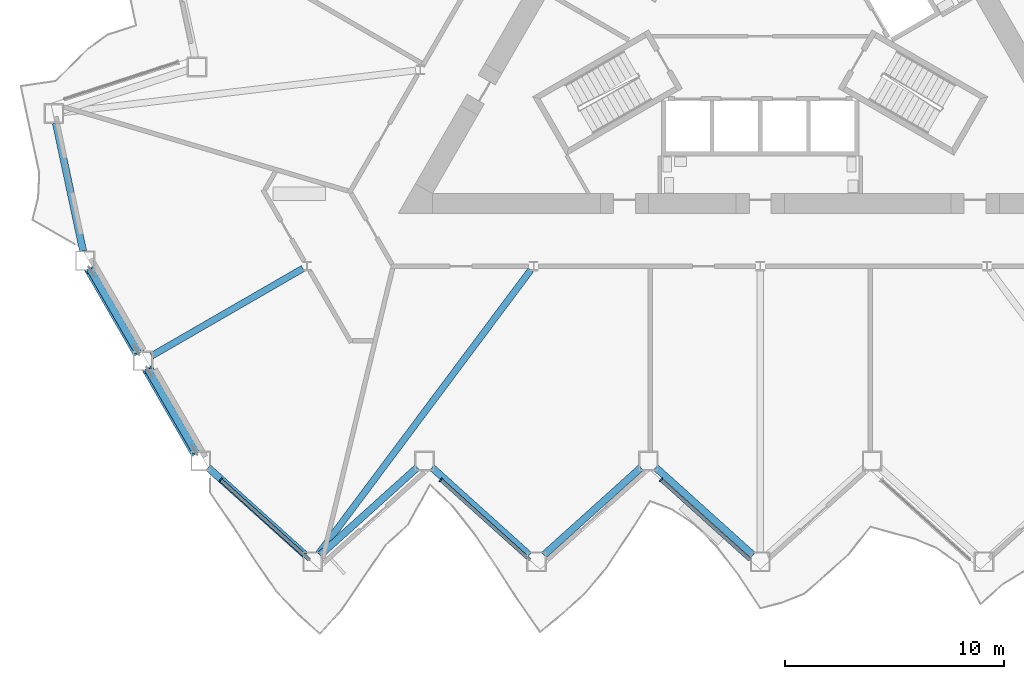
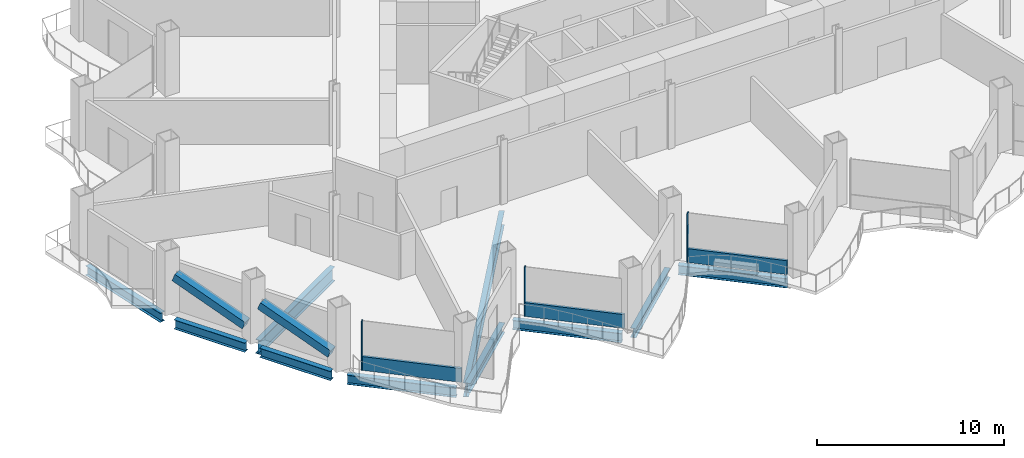
# One storey, part 3 of 21: 10 beams, 8 members, 3 elements without a shape of their own.
"""IFC4 building model written with IfcOpenShell, lengths in metres."""

from ifc_helpers import new_model, si_unit, direction, frame, origin, origin_2d, place, context, subcontext, project, spatial, rectangle, hollow_rectangle, i_section, extrude, material, layer, layer_set, material_profile, profile_set, type_object, element, aggregate, save


model = new_model("IFC4")

# Units and contexts
model_context = context("Model", 3, precision=1e-05, world=origin(), true_north=direction((0.0, 1.0)))
body_context = subcontext(model_context, "Body", "Model", "MODEL_VIEW")
ifc_project = project(units=[si_unit("LENGTHUNIT", "METRE"), si_unit("AREAUNIT", "SQUARE_METRE"), si_unit("VOLUMEUNIT", "CUBIC_METRE"), si_unit("PLANEANGLEUNIT", "RADIAN"), si_unit("MASSUNIT", "GRAM", prefix="KILO")], contexts=[model_context])

# Site, building, storey
site_placement = place(None, origin())
site = spatial("IfcSite", under=ifc_project, at=site_placement, CompositionType="ELEMENT")
building_placement = place(site_placement, origin())
building = spatial("IfcBuilding", under=site, at=building_placement, Name="Cormorant Prow Tower", CompositionType="ELEMENT")
storey_placement = place(building_placement, frame((0.0, 0.0, 112.199951171875)))
storey = spatial("IfcBuildingStorey", under=building, at=storey_placement, Name="L23", CompositionType="ELEMENT", Elevation=112.199951171875)

# Members
ifc_material_1 = material(Name="Structural steel ASTM A500 Gr C", Category="steel")
ifc_material_profile_1 = material_profile(ifc_material_1, hollow_rectangle(XDim=0.508056640625, YDim=0.508056640625, WallThickness=0.014892578125, at=origin_2d()), Name="HSS20x20x5/8")
ifc_profile_set_1 = profile_set([ifc_material_profile_1], Name="Structural steel ASTM A500 Gr C")
member_type_1 = type_object("IfcMemberType", Name="Chamfer brace HSS20x20x5/8", PredefinedType="BRACE", material=ifc_profile_set_1)
for number, where, z_axis, x_axis, name in (
    (1, (-28.368408203125, -15.83837890625, 0.776611328125), (-0.467784671838, 0.810243526908, 0.35310469821), (-0.866029868417, -0.499992266949, 0.0), "Chamfer brace BR1 at WSW00 L23"),
    (2, (-25.733642578125, -20.402099609375, 0.776611328125), (-0.467784671838, 0.810243526908, 0.35310469821), (-0.866029868417, -0.499992266949, 0.0), "Chamfer brace BR1 at WSW01 L23"),
):
    element("IfcMember", number, at=place(storey_placement, frame(where, z_axis=z_axis, x_axis=x_axis)), inside=storey, type_object=member_type_1, Name=name, PredefinedType="BRACE", context=body_context, shape_type="SweptSolid", body=[
        extrude(hollow_rectangle(XDim=0.508056640625, YDim=0.508056640625, WallThickness=0.014892578125, at=origin_2d()), origin(), (0.0, 0.0, 1.0), 4.632568359375),
    ])

# Curtain wall, member
ifc_material_2 = material(Name="Aluminium 6063-T6", Category="aluminium")
ifc_layer = layer(ifc_material_2, 0.199951171875)
ifc_layer_set = layer_set([ifc_layer], Name="Aluminium 6063-T6")
curtain_wall_type = type_object("IfcCurtainWallType", Name="Office unitised curtain wall 200", PredefinedType="NOTDEFINED", material=ifc_layer_set)
curtain_wall_1_placement = place(storey_placement, origin())
curtain_wall_1 = element("IfcCurtainWall", 3, at=curtain_wall_1_placement, inside=storey, type_object=curtain_wall_type, Name="Office curtain wall S00", PredefinedType="NOTDEFINED")
ifc_material_3 = material(Name="Aluminium 6063-T6", Category="aluminium")
ifc_material_profile_2 = material_profile(ifc_material_3, rectangle(XDim=0.199951171875, YDim=0.06005859375, at=origin_2d()), Name="Office mullion 60x200")
ifc_profile_set_2 = profile_set([ifc_material_profile_2], Name="Aluminium 6063-T6")
member_type_2 = type_object("IfcMemberType", Name="Office mullion 60x200", PredefinedType="MULLION", material=ifc_profile_set_2)
member_1_placement = place(storey_placement, frame((-24.59521484375, -21.671142578125, 0.0), z_axis=(0.0, 0.0, 1.0), x_axis=(0.669130597526, 0.74314483343, 0.0)))
member_1 = element("IfcMember", 4, at=member_1_placement, type_object=member_type_2, Name="Office mullion S00", PredefinedType="MULLION", context=body_context, shape_type="SweptSolid", body=[
    extrude(rectangle(XDim=0.199951171875, YDim=0.06005859375, at=origin_2d()), origin(), (0.0, 0.0, 1.0), 3.18896484375),
])

curtain_wall_2_placement = place(storey_placement, origin())
curtain_wall_2 = element("IfcCurtainWall", 5, at=curtain_wall_2_placement, inside=storey, type_object=curtain_wall_type, Name="Office curtain wall S02", PredefinedType="NOTDEFINED")
member_2_placement = place(storey_placement, frame((-14.55908203125, -21.671142578125, 0.0), z_axis=(0.0, 0.0, 1.0), x_axis=(0.669130597526, 0.74314483343, 0.0)))
member_2 = element("IfcMember", 6, at=member_2_placement, type_object=member_type_2, Name="Office mullion S02", PredefinedType="MULLION", context=body_context, shape_type="SweptSolid", body=[
    extrude(rectangle(XDim=0.199951171875, YDim=0.06005859375, at=origin_2d()), origin(), (0.0, 0.0, 1.0), 3.18896484375),
])

curtain_wall_3_placement = place(storey_placement, origin())
curtain_wall_3 = element("IfcCurtainWall", 7, at=curtain_wall_3_placement, inside=storey, type_object=curtain_wall_type, Name="Office curtain wall S04", PredefinedType="NOTDEFINED")
member_3_placement = place(storey_placement, frame((-4.523193359375, -21.671142578125, 0.0), z_axis=(0.0, 0.0, 1.0), x_axis=(0.669130597526, 0.74314483343, 0.0)))
member_3 = element("IfcMember", 8, at=member_3_placement, type_object=member_type_2, Name="Office mullion S04", PredefinedType="MULLION", context=body_context, shape_type="SweptSolid", body=[
    extrude(rectangle(XDim=0.199951171875, YDim=0.06005859375, at=origin_2d()), origin(), (0.0, 0.0, 1.0), 3.18896484375),
])

# Member
ifc_material_4 = material(Name="Terracotta", Category="masonry")
ifc_material_profile_3 = material_profile(ifc_material_4, rectangle(XDim=0.159912109375, YDim=0.89990234375, at=origin_2d()), Name="Office terracotta spandrel rail 160x900")
ifc_profile_set_3 = profile_set([ifc_material_profile_3], Name="Terracotta")
member_type_3 = type_object("IfcMemberType", Name="Office terracotta spandrel rail 160x900", PredefinedType="USERDEFINED", material=ifc_profile_set_3)
member_4_placement = place(storey_placement, frame((-24.572998046875, -21.691162109375, 0.449951171875), z_axis=(0.743159757815, -0.669114021946, 0.0), x_axis=(0.669114021946, 0.743159757815, 0.0)))
member_4 = element("IfcMember", 9, at=member_4_placement, type_object=member_type_3, Name="Office spandrel rail S00", ObjectType="TRANSOM", PredefinedType="USERDEFINED", context=body_context, shape_type="SweptSolid", body=[
    extrude(rectangle(XDim=0.159912109375, YDim=0.89990234375, at=origin_2d()), origin(), (0.0, 0.0, 1.0), 5.42041015625),
])

aggregate(curtain_wall_1, [member_1, member_4])

member_5_placement = place(storey_placement, frame((-14.536865234375, -21.691162109375, 0.449951171875), z_axis=(0.74313959179, -0.669136418912, 0.0), x_axis=(0.669136418912, 0.74313959179, 0.0)))
member_5 = element("IfcMember", 10, at=member_5_placement, type_object=member_type_3, Name="Office spandrel rail S02", ObjectType="TRANSOM", PredefinedType="USERDEFINED", context=body_context, shape_type="SweptSolid", body=[
    extrude(rectangle(XDim=0.159912109375, YDim=0.89990234375, at=origin_2d()), origin(), (0.0, 0.0, 1.0), 5.42041015625),
])

aggregate(curtain_wall_2, [member_2, member_5])

member_6_placement = place(storey_placement, frame((-4.500732421875, -21.691162109375, 0.449951171875), z_axis=(0.74313959179, -0.669136418912, 0.0), x_axis=(0.669136418912, 0.74313959179, 0.0)))
member_6 = element("IfcMember", 11, at=member_6_placement, type_object=member_type_3, Name="Office spandrel rail S04", ObjectType="TRANSOM", PredefinedType="USERDEFINED", context=body_context, shape_type="SweptSolid", body=[
    extrude(rectangle(XDim=0.159912109375, YDim=0.89990234375, at=origin_2d()), origin(), (0.0, 0.0, 1.0), 5.42041015625),
])

aggregate(curtain_wall_3, [member_3, member_6])

# Beams
ifc_material_5 = material(Name="Structural steel ASTM A992 Gr 50", Category="steel")
ifc_material_profile_4 = material_profile(ifc_material_5, i_section(OverallWidth=0.3046875, OverallDepth=0.914794921875, WebThickness=0.0166015625, FlangeThickness=0.02587890625, at=origin_2d()), Name="W36x160")
ifc_profile_set_4 = profile_set([ifc_material_profile_4], Name="Structural steel ASTM A992 Gr 50")
beam_type_1 = type_object("IfcBeamType", Name="Radial floor beam W36x160", PredefinedType="BEAM", material=ifc_profile_set_4)
beam_1_placement = place(storey_placement, frame((-20.84521484375, -12.034912109375, -0.857421875), z_axis=(-0.866018715534, -0.50001158421, 0.0), x_axis=(0.50001158421, -0.866018715534, 0.0)))
element("IfcBeam", 12, at=beam_1_placement, inside=storey, type_object=beam_type_1, Name="Radial floor beam FB1 5 L23", PredefinedType="BEAM", context=body_context, shape_type="SweptSolid", body=[
    extrude(i_section(OverallWidth=0.3046875, OverallDepth=0.914794921875, WebThickness=0.0166015625, FlangeThickness=0.02587890625, at=origin_2d()), origin(), (0.0, 0.0, 1.0), 7.967041015625),
])
beam_2_placement = place(storey_placement, frame((-10.458740234375, -12.100341796875, -0.857421875), z_axis=(-0.598722444929, -0.800956574315, 0.0), x_axis=(0.800956574315, -0.598722444929, 0.0)))
element("IfcBeam", 13, at=beam_2_placement, inside=storey, type_object=beam_type_1, Name="Radial floor beam FB1 6 L23", PredefinedType="BEAM", context=body_context, shape_type="SweptSolid", body=[
    extrude(i_section(OverallWidth=0.3046875, OverallDepth=0.914794921875, WebThickness=0.0166015625, FlangeThickness=0.02587890625, at=origin_2d()), origin(), (0.0, 0.0, 1.0), 16.15380859375),
])
ifc_material_6 = material(Name="Structural steel ASTM A992 Gr 50", Category="steel")
ifc_material_profile_5 = material_profile(ifc_material_6, i_section(OverallWidth=0.32373046875, OverallDepth=0.611083984375, WebThickness=0.0126953125, FlangeThickness=0.01904296875, at=origin_2d()), Name="W24x104")
ifc_profile_set_5 = profile_set([ifc_material_profile_5], Name="Structural steel ASTM A992 Gr 50")
beam_type_2 = type_object("IfcBeamType", Name="Spandrel beam W24x104", PredefinedType="SPANDREL", material=ifc_profile_set_5)
for number, where, z_axis, x_axis, name in (
    (14, (-25.165283203125, -21.108154296875, -0.70556640625), (0.743131253571, -0.66914567918, 0.0), (0.66914567918, 0.743131253571, 0.0), "Spandrel beam SB1 S00-S01 L23"),
    (15, (-20.0654296875, -25.09814453125, -0.70556640625), (0.743131253571, 0.66914567918, 0.0), (-0.66914567918, 0.743131253571, 0.0), "Spandrel beam SB1 S01-S02 L23"),
    (16, (-14.96533203125, -21.108154296875, -0.70556640625), (0.743131253571, -0.66914567918, 0.0), (0.66914567918, 0.743131253571, 0.0), "Spandrel beam SB1 S02-S03 L23"),
    (17, (-9.865478515625, -25.09814453125, -0.70556640625), (0.743131253571, 0.66914567918, 0.0), (-0.66914567918, 0.743131253571, 0.0), "Spandrel beam SB1 S03-S04 L23"),
    (18, (-4.765625, -21.108154296875, -0.70556640625), (0.743131253571, -0.66914567918, 0.0), (0.66914567918, 0.743131253571, 0.0), "Spandrel beam SB1 S04-S05 L23"),
    (19, (-32.1025390625, -5.4072265625, -0.70556640625), (0.207912620873, -0.978147403044, 0.0), (0.978147403044, 0.207912620873, 0.0), "Spandrel beam SB1 WNW09-WSW00 L23"),
):
    element("IfcBeam", number, at=place(storey_placement, frame(where, z_axis=z_axis, x_axis=x_axis)), inside=storey, type_object=beam_type_2, Name=name, PredefinedType="SPANDREL", context=body_context, shape_type="SweptSolid", body=[
        extrude(i_section(OverallWidth=0.32373046875, OverallDepth=0.611083984375, WebThickness=0.0126953125, FlangeThickness=0.01904296875, at=origin_2d()), origin(), (0.0, 0.0, 1.0), 5.962890625),
    ])
for number, where, z_axis, x_axis, name in (
    (20, (-30.54443359375, -12.069580078125, -0.70556640625), (0.500002967982, -0.866023690213, 0.0), (0.866023690213, 0.500002967982, 0.0), "Spandrel beam SB1 WSW00-WSW01 L23"),
    (21, (-27.909423828125, -16.63330078125, -0.70556640625), (0.500002967982, -0.866023690213, 0.0), (0.866023690213, 0.500002967982, 0.0), "Spandrel beam SB1 WSW01-S00 L23"),
):
    element("IfcBeam", number, at=place(storey_placement, frame(where, z_axis=z_axis, x_axis=x_axis)), inside=storey, type_object=beam_type_2, Name=name, PredefinedType="SPANDREL", context=body_context, shape_type="SweptSolid", body=[
        extrude(i_section(OverallWidth=0.32373046875, OverallDepth=0.611083984375, WebThickness=0.0126953125, FlangeThickness=0.01904296875, at=origin_2d()), origin(), (0.0, 0.0, 1.0), 4.36962890625),
    ])

save(model, "model.ifc")
